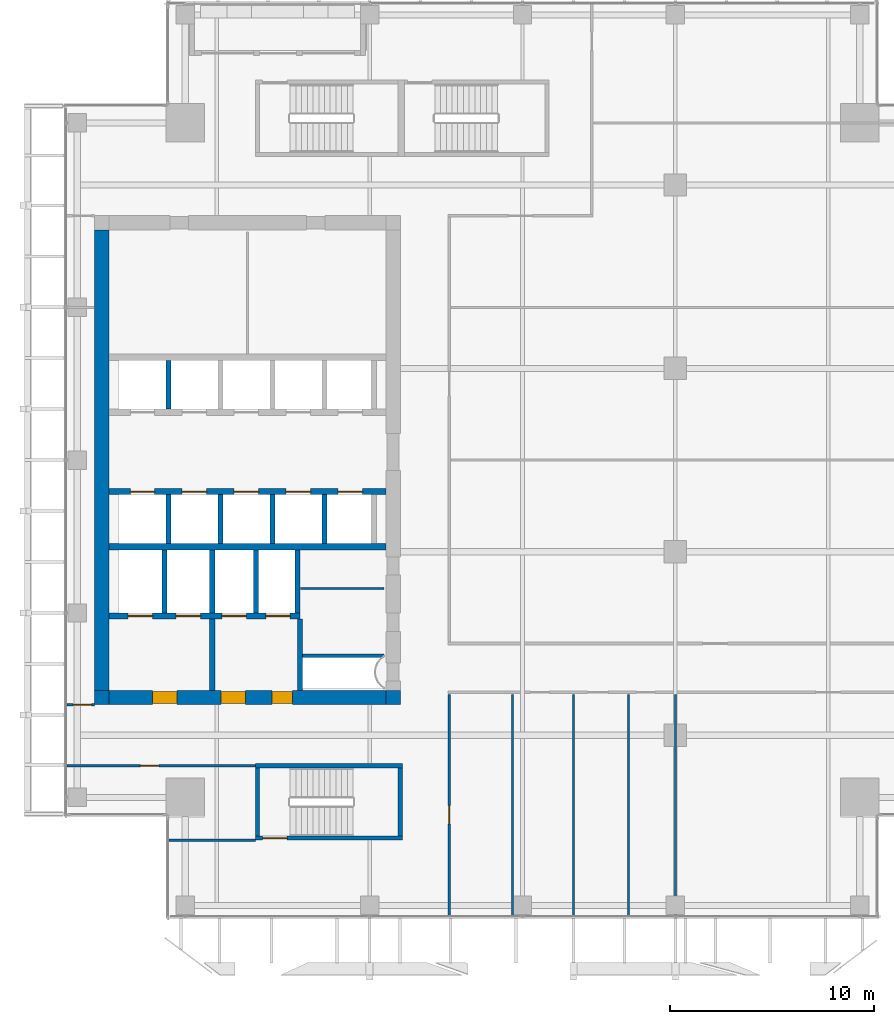
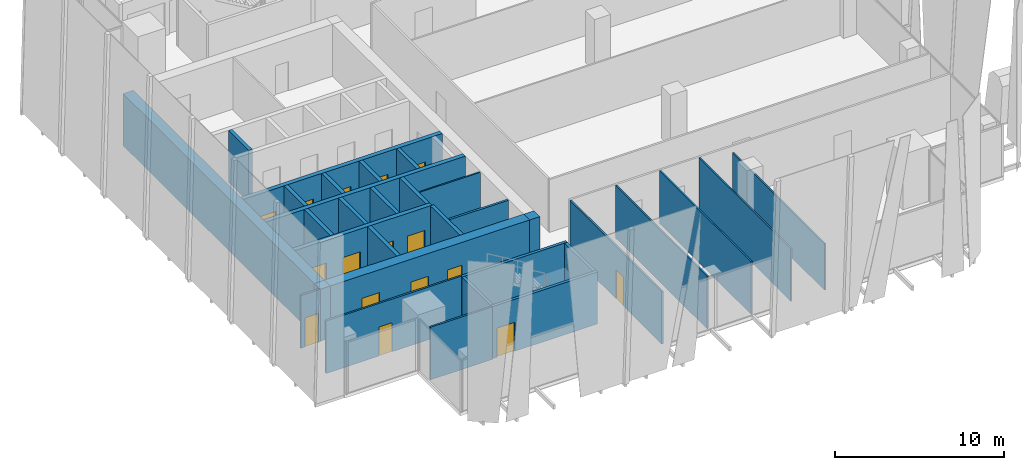
# One storey, part 28 of 35: 32 walls, 16 doors, 16 openings.
"""IFC4 building model written with IfcOpenShell, lengths in metres."""

from ifc_helpers import new_model, si_unit, direction, frame, frame_2d, origin, place, context, subcontext, project, spatial, rectangle, extrude, source, transform, mapped, material, layer, layer_set, type_object, element, fill, save


model = new_model("IFC4")

# Units and contexts
model_context = context("Model", 3, precision=1e-05, world=origin(), true_north=direction((0.0, 1.0)))
body_context = subcontext(model_context, "Body", "Model", "MODEL_VIEW")
ifc_project = project(units=[si_unit("LENGTHUNIT", "METRE"), si_unit("AREAUNIT", "SQUARE_METRE"), si_unit("VOLUMEUNIT", "CUBIC_METRE"), si_unit("PLANEANGLEUNIT", "RADIAN"), si_unit("MASSUNIT", "GRAM", prefix="KILO")], contexts=[model_context])

# Site, building, storey
site_placement = place(None, origin())
site = spatial("IfcSite", under=ifc_project, at=site_placement, CompositionType="ELEMENT")
building_placement = place(site_placement, origin())
building = spatial("IfcBuilding", under=site, at=building_placement, Name="Khomas Fold Tower", CompositionType="ELEMENT")
storey_placement = place(building_placement, frame((0.0, 0.0, 246.199951171875)))
storey = spatial("IfcBuildingStorey", under=building, at=storey_placement, Name="L55", CompositionType="ELEMENT", Elevation=246.199951171875)

# Wall
ifc_material_1 = material(Name="Concrete C50/60", Category="concrete")
ifc_layer_1 = layer(ifc_material_1, 0.199951171875)
ifc_layer_set_1 = layer_set([ifc_layer_1], Name="Concrete C50/60")
wall_type_1 = type_object("IfcWallType", Name="Stair wall 200", PredefinedType="SHEAR", material=ifc_layer_set_1)
shared_shape_1 = source(origin(), body_context, "Body", "SweptSolid", [
    extrude(rectangle(XDim=7.2001953125, YDim=0.199951171875, at=frame_2d((3.60009765625, 0.0))), origin(), (0.0, 0.0, 1.0), 3.75),
])
wall_1_placement = place(storey_placement, frame((13.89990234375, 12.0, 0.0), z_axis=(0.0, 0.0, 1.0), x_axis=(1.0, 0.0, 0.0)))
element("IfcWall", 1, at=wall_1_placement, inside=storey, type_object=wall_type_1, Name="Stair wall SW-ST2-NH", PredefinedType="SHEAR", context=body_context, shape_type="MappedRepresentation", body=[
    mapped(shared_shape_1, transform((0.0, 0.0, 0.0))),
])

# Wall, opening, door
wall_2_placement = place(storey_placement, frame((13.89990234375, 8.449951171875, 0.0), z_axis=(0.0, 0.0, 1.0), x_axis=(1.0, 0.0, 0.0)))
wall_2 = element("IfcWall", 2, at=wall_2_placement, inside=storey, type_object=wall_type_1, Name="Stair wall SW-ST2-S", PredefinedType="SHEAR", context=body_context, shape_type="MappedRepresentation", body=[
    mapped(shared_shape_1, transform((0.0, 0.0, 0.0))),
])
shared_shape_2 = source(origin(), body_context, "Body", "SweptSolid", [
    extrude(rectangle(XDim=1.199951171875, YDim=2.10009765625, at=frame_2d((0.60009765625, 1.050048828125))), frame((0.0, 0.10986328125, 0.0), z_axis=(0.0, -1.0, 0.0), x_axis=(1.0, 0.0, 0.0)), (0.0, 0.0, 1.0), 0.219970703125),
])
opening_1_placement = place(wall_2_placement, frame((0.35009765625, 0.0, 0.0)))
opening_1 = element("IfcOpeningElement", 3, at=opening_1_placement, cuts=wall_2, Name="Opening SD-ST2", PredefinedType="OPENING", context=body_context, shape_type="MappedRepresentation", body=[
    mapped(shared_shape_2, transform((0.0, 0.0, 0.0))),
])
ifc_material_2 = material(Name="Steel door leaf", Category="steel")
door_type_1 = type_object("IfcDoorType", Name="Stair door 1200x2100 right-hand", OperationType="SINGLE_SWING_RIGHT", PredefinedType="DOOR", material=ifc_material_2)
shared_shape_3 = source(origin(), body_context, "Body", "SweptSolid", [
    extrude(rectangle(XDim=1.199951171875, YDim=2.10009765625, at=frame_2d((0.60009765625, 1.050048828125))), frame((0.0, 0.02490234375, 0.0), z_axis=(0.0, -1.0, 0.0), x_axis=(1.0, 0.0, 0.0)), (0.0, 0.0, 1.0), 0.050048828125),
])
door_1_placement = place(opening_1_placement, origin())
door_1 = element("IfcDoor", 4, at=door_1_placement, inside=storey, type_object=door_type_1, Name="Stair door", OperationType="SINGLE_SWING_RIGHT", OverallHeight=2.10009765625, OverallWidth=1.199951171875, PredefinedType="DOOR", context=body_context, shape_type="MappedRepresentation", body=[
    mapped(shared_shape_3, transform((0.0, 0.0, 0.0))),
])
fill(opening_1, door_1)

# Walls
shared_shape_4 = source(origin(), body_context, "Body", "SweptSolid", [
    extrude(rectangle(XDim=3.349853515625, YDim=0.199951171875, at=frame_2d((1.6748046875, 0.0))), origin(), (0.0, 0.0, 1.0), 3.75),
])
for number, where, z_axis, x_axis, name in (
    (5, (21.0, 8.550048828125, 0.0), (0.0, 0.0, 1.0), (0.0, 1.0, 0.0), "Stair wall SW-ST2-E"),
    (6, (14.0, 8.550048828125, 0.0), (0.0, 0.0, 1.0), (0.0, 1.0, 0.0), "Stair wall SW-ST2-W"),
):
    element("IfcWall", number, at=place(storey_placement, frame(where, z_axis=z_axis, x_axis=x_axis)), inside=storey, type_object=wall_type_1, Name=name, PredefinedType="SHEAR", context=body_context, shape_type="MappedRepresentation", body=[
        mapped(shared_shape_4, transform((0.0, 0.0, 0.0))),
    ])
ifc_material_3 = material(Name="Concrete C50/60", Category="concrete")
ifc_layer_2 = layer(ifc_material_3, 0.25)
ifc_layer_set_2 = layer_set([ifc_layer_2], Name="Concrete C50/60")
wall_type_2 = type_object("IfcWallType", Name="Shaft wall 250", PredefinedType="STANDARD", material=ifc_layer_set_2)
shared_shape_5 = source(origin(), body_context, "Body", "SweptSolid", [
    extrude(rectangle(XDim=3.10009765625, YDim=0.25, at=frame_2d((1.550048828125, 0.0))), origin(), (0.0, 0.0, 1.0), 3.75),
])
for number, where, z_axis, x_axis, name in (
    (7, (9.425048828125, 19.5, 0.0), (0.0, 0.0, 1.0), (0.0, 1.0, 0.0), "Core wall SW-FS-P1"),
    (8, (11.77490234375, 19.5, 0.0), (0.0, 0.0, 1.0), (0.0, 1.0, 0.0), "Core wall SW-FS-P2"),
    (9, (13.925048828125, 19.5, 0.0), (0.0, 0.0, 1.0), (0.0, 1.0, 0.0), "Core wall SW-FS-P3"),
    (10, (15.949951171875, 19.5, 0.0), (0.0, 0.0, 1.0), (0.0, 1.0, 0.0), "Core wall SW-FS-PE"),
):
    element("IfcWall", number, at=place(storey_placement, frame(where, z_axis=z_axis, x_axis=x_axis)), inside=storey, type_object=wall_type_2, Name=name, PredefinedType="STANDARD", context=body_context, shape_type="MappedRepresentation", body=[
        mapped(shared_shape_5, transform((0.0, 0.0, 0.0))),
    ])
shared_shape_6 = source(origin(), body_context, "Body", "SweptSolid", [
    extrude(rectangle(XDim=2.39990234375, YDim=0.25, at=frame_2d((1.199951171875, 0.0))), origin(), (0.0, 0.0, 1.0), 3.75),
])
wall_3_placement = place(storey_placement, frame((9.625, 29.5, 0.0), z_axis=(0.0, 0.0, 1.0), x_axis=(0.0, 1.0, 0.0)))
element("IfcWall", 11, at=wall_3_placement, inside=storey, type_object=wall_type_2, Name="Core wall SW-HRN-P1", PredefinedType="STANDARD", context=body_context, shape_type="MappedRepresentation", body=[
    mapped(shared_shape_6, transform((0.0, 0.0, 0.0))),
])
shared_shape_7 = source(origin(), body_context, "Body", "SweptSolid", [
    extrude(rectangle(XDim=2.400146484375, YDim=0.25, at=frame_2d((1.2001953125, 0.0))), origin(), (0.0, 0.0, 1.0), 3.75),
])
for number, where, z_axis, x_axis, name in (
    (12, (17.27490234375, 22.89990234375, 0.0), (0.0, 0.0, 1.0), (0.0, 1.0, 0.0), "Core wall SW-HRS-MR-P1"),
    (13, (9.625, 22.89990234375, 0.0), (0.0, 0.0, 1.0), (0.0, 1.0, 0.0), "Core wall SW-HRS-P1"),
    (14, (12.175048828125, 22.89990234375, 0.0), (0.0, 0.0, 1.0), (0.0, 1.0, 0.0), "Core wall SW-HRS-P2"),
    (15, (14.72509765625, 22.89990234375, 0.0), (0.0, 0.0, 1.0), (0.0, 1.0, 0.0), "Core wall SW-HRS-PE"),
):
    element("IfcWall", number, at=place(storey_placement, frame(where, z_axis=z_axis, x_axis=x_axis)), inside=storey, type_object=wall_type_2, Name=name, PredefinedType="STANDARD", context=body_context, shape_type="MappedRepresentation", body=[
        mapped(shared_shape_7, transform((0.0, 0.0, 0.0))),
    ])

# Wall, openings, doors
ifc_material_4 = material(Name="Concrete C60/75", Category="concrete")
ifc_layer_3 = layer(ifc_material_4, 0.699951171875)
ifc_layer_set_3 = layer_set([ifc_layer_3], Name="Concrete C60/75")
wall_type_3 = type_object("IfcWallType", Name="Core wall 700", PredefinedType="SHEAR", material=ifc_layer_set_3)
shared_shape_8 = source(origin(), body_context, "Body", "SweptSolid", [
    extrude(rectangle(XDim=13.60009765625, YDim=0.699951171875, at=frame_2d((6.800048828125, 0.0))), origin(), (0.0, 0.0, 1.0), 3.75),
])
wall_4_placement = place(storey_placement, frame((6.699951171875, 15.35009765625, 0.0), z_axis=(0.0, 0.0, 1.0), x_axis=(1.0, 0.0, 0.0)))
wall_4 = element("IfcWall", 16, at=wall_4_placement, inside=storey, type_object=wall_type_3, Name="Core wall CW-U-S-L49", PredefinedType="SHEAR", context=body_context, shape_type="MappedRepresentation", body=[
    mapped(shared_shape_8, transform((0.0, 0.0, 0.0))),
])
shared_shape_9 = source(origin(), body_context, "Body", "SweptSolid", [
    extrude(rectangle(XDim=1.199951171875, YDim=2.10009765625, at=frame_2d((0.60009765625, 1.050048828125))), frame((0.0, 0.35986328125, 0.0), z_axis=(0.0, -1.0, 0.0), x_axis=(1.0, 0.0, 0.0)), (0.0, 0.0, 1.0), 0.719970703125),
])
opening_2_placement = place(wall_4_placement, frame((5.5, 0.0, 0.0)))
opening_2 = element("IfcOpeningElement", 17, at=opening_2_placement, cuts=wall_4, Name="Opening 0009", PredefinedType="OPENING", context=body_context, shape_type="MappedRepresentation", body=[
    mapped(shared_shape_9, transform((0.0, 0.0, 0.0))),
])
opening_3_placement = place(wall_4_placement, frame((2.14990234375, 0.0, 0.0)))
opening_3 = element("IfcOpeningElement", 18, at=opening_3_placement, cuts=wall_4, Name="Opening 0009", PredefinedType="OPENING", context=body_context, shape_type="MappedRepresentation", body=[
    mapped(shared_shape_9, transform((0.0, 0.0, 0.0))),
])
shared_shape_10 = source(origin(), body_context, "Body", "SweptSolid", [
    extrude(rectangle(XDim=1.0, YDim=2.10009765625, at=frame_2d((0.5, 1.050048828125))), frame((0.0, 0.35986328125, 0.0), z_axis=(0.0, -1.0, 0.0), x_axis=(1.0, 0.0, 0.0)), (0.0, 0.0, 1.0), 0.719970703125),
])
opening_4_placement = place(wall_4_placement, frame((8.0, 0.0, 0.0)))
opening_4 = element("IfcOpeningElement", 19, at=opening_4_placement, cuts=wall_4, Name="Opening 0010", PredefinedType="OPENING", context=body_context, shape_type="MappedRepresentation", body=[
    mapped(shared_shape_10, transform((0.0, 0.0, 0.0))),
])
ifc_material_5 = material(Name="Steel door leaf", Category="steel")
door_type_2 = type_object("IfcDoorType", Name="Lobby door 1200x2100 right-hand", OperationType="SINGLE_SWING_RIGHT", PredefinedType="DOOR", material=ifc_material_5)
shared_shape_11 = source(origin(), body_context, "Body", "SweptSolid", [
    extrude(rectangle(XDim=1.199951171875, YDim=2.10009765625, at=frame_2d((0.60009765625, 1.050048828125))), frame((0.0, 0.2998046875, 0.0), z_axis=(0.0, -1.0, 0.0), x_axis=(1.0, 0.0, 0.0)), (0.0, 0.0, 1.0), 0.599853515625),
])
door_2_placement = place(opening_2_placement, origin())
door_2 = element("IfcDoor", 20, at=door_2_placement, inside=storey, type_object=door_type_2, Name="Lobby door", OperationType="SINGLE_SWING_RIGHT", OverallHeight=2.10009765625, OverallWidth=1.199951171875, PredefinedType="DOOR", context=body_context, shape_type="MappedRepresentation", body=[
    mapped(shared_shape_11, transform((0.0, 0.0, 0.0))),
])
fill(opening_2, door_2)
door_3_placement = place(opening_3_placement, origin())
door_3 = element("IfcDoor", 21, at=door_3_placement, inside=storey, type_object=door_type_2, Name="Lobby door", OperationType="SINGLE_SWING_RIGHT", OverallHeight=2.10009765625, OverallWidth=1.199951171875, PredefinedType="DOOR", context=body_context, shape_type="MappedRepresentation", body=[
    mapped(shared_shape_11, transform((0.0, 0.0, 0.0))),
])
fill(opening_3, door_3)
ifc_material_6 = material(Name="Steel door leaf", Category="steel")
door_type_3 = type_object("IfcDoorType", Name="Stair door 1000x2100 right-hand", OperationType="SINGLE_SWING_RIGHT", PredefinedType="DOOR", material=ifc_material_6)
shared_shape_12 = source(origin(), body_context, "Body", "SweptSolid", [
    extrude(rectangle(XDim=1.0, YDim=2.10009765625, at=frame_2d((0.5, 1.050048828125))), frame((0.0, 0.2998046875, 0.0), z_axis=(0.0, -1.0, 0.0), x_axis=(1.0, 0.0, 0.0)), (0.0, 0.0, 1.0), 0.599853515625),
])
door_4_placement = place(opening_4_placement, origin())
door_4 = element("IfcDoor", 22, at=door_4_placement, inside=storey, type_object=door_type_3, Name="Stair door", OperationType="SINGLE_SWING_RIGHT", OverallHeight=2.10009765625, OverallWidth=1.0, PredefinedType="DOOR", context=body_context, shape_type="MappedRepresentation", body=[
    mapped(shared_shape_12, transform((0.0, 0.0, 0.0))),
])
fill(opening_4, door_4)

# Walls
ifc_material_7 = material(Name="Concrete C60/75", Category="concrete")
ifc_layer_4 = layer(ifc_material_7, 0.699951171875)
ifc_layer_set_4 = layer_set([ifc_layer_4], Name="Concrete C60/75")
wall_type_4 = type_object("IfcWallType", Name="Core corner wall 700", PredefinedType="SHEAR", material=ifc_layer_set_4)
shared_shape_13 = source(origin(), body_context, "Body", "SweptSolid", [
    extrude(rectangle(XDim=0.699951171875, YDim=0.699951171875, at=frame_2d((0.35009765625, 0.0))), origin(), (0.0, 0.0, 1.0), 3.75),
])
for number, where, z_axis, x_axis, name in (
    (23, (20.300048828125, 15.35009765625, 0.0), (0.0, 0.0, 1.0), (1.0, 0.0, 0.0), "Core wall CW-U-SE-L49"),
    (24, (6.0, 15.35009765625, 0.0), (0.0, 0.0, 1.0), (1.0, 0.0, 0.0), "Core wall CW-U-SW-L49"),
):
    element("IfcWall", number, at=place(storey_placement, frame(where, z_axis=z_axis, x_axis=x_axis)), inside=storey, type_object=wall_type_4, Name=name, PredefinedType="SHEAR", context=body_context, shape_type="MappedRepresentation", body=[
        mapped(shared_shape_13, transform((0.0, 0.0, 0.0))),
    ])
shared_shape_14 = source(origin(), body_context, "Body", "SweptSolid", [
    extrude(rectangle(XDim=22.60009765625, YDim=0.699951171875, at=frame_2d((11.300048828125, 0.0))), origin(), (0.0, 0.0, 1.0), 3.75),
])
wall_5_placement = place(storey_placement, frame((6.35009765625, 15.699951171875, 0.0), z_axis=(0.0, 0.0, 1.0), x_axis=(0.0, 1.0, 0.0)))
element("IfcWall", 25, at=wall_5_placement, inside=storey, type_object=wall_type_3, Name="Core wall CW-U-W-L49", PredefinedType="SHEAR", context=body_context, shape_type="MappedRepresentation", body=[
    mapped(shared_shape_14, transform((0.0, 0.0, 0.0))),
])
ifc_material_8 = material(Name="Concrete C50/60", Category="concrete")
ifc_layer_5 = layer(ifc_material_8, 0.300048828125)
ifc_layer_set_5 = layer_set([ifc_layer_5], Name="Concrete C50/60")
wall_type_5 = type_object("IfcWallType", Name="Shaft wall 300", PredefinedType="STANDARD", material=ifc_layer_set_5)
shared_shape_15 = source(origin(), body_context, "Body", "SweptSolid", [
    extrude(rectangle(XDim=13.60009765625, YDim=0.300048828125, at=frame_2d((6.800048828125, 0.0))), origin(), (0.0, 0.0, 1.0), 3.75),
])
wall_6_placement = place(storey_placement, frame((6.699951171875, 22.75, 0.0), z_axis=(0.0, 0.0, 1.0), x_axis=(1.0, 0.0, 0.0)))
element("IfcWall", 26, at=wall_6_placement, inside=storey, type_object=wall_type_5, Name="Core wall SW-FS-B", PredefinedType="STANDARD", context=body_context, shape_type="MappedRepresentation", body=[
    mapped(shared_shape_15, transform((0.0, 0.0, 0.0))),
])

# Wall, openings, doors
wall_7_placement = place(storey_placement, frame((6.699951171875, 25.449951171875, 0.0), z_axis=(0.0, 0.0, 1.0), x_axis=(1.0, 0.0, 0.0)))
wall_7 = element("IfcWall", 27, at=wall_7_placement, inside=storey, type_object=wall_type_5, Name="Core wall SW-HRS-F", PredefinedType="STANDARD", context=body_context, shape_type="MappedRepresentation", body=[
    mapped(shared_shape_15, transform((0.0, 0.0, 0.0))),
])
shared_shape_16 = source(origin(), body_context, "Body", "SweptSolid", [
    extrude(rectangle(XDim=1.199951171875, YDim=2.10009765625, at=frame_2d((0.60009765625, 1.050048828125))), frame((0.0, 0.159912109375, 0.0), z_axis=(0.0, -1.0, 0.0), x_axis=(1.0, 0.0, 0.0)), (0.0, 0.0, 1.0), 0.320068359375),
])
opening_5_placement = place(wall_7_placement, frame((1.050048828125, 0.0, 0.0)))
opening_5 = element("IfcOpeningElement", 28, at=opening_5_placement, cuts=wall_7, Name="Opening LD-HR1", PredefinedType="OPENING", context=body_context, shape_type="MappedRepresentation", body=[
    mapped(shared_shape_16, transform((0.0, 0.0, 0.0))),
])
opening_6_placement = place(wall_7_placement, frame((3.60009765625, 0.0, 0.0)))
opening_6 = element("IfcOpeningElement", 29, at=opening_6_placement, cuts=wall_7, Name="Opening LD-HR2", PredefinedType="OPENING", context=body_context, shape_type="MappedRepresentation", body=[
    mapped(shared_shape_16, transform((0.0, 0.0, 0.0))),
])
opening_7_placement = place(wall_7_placement, frame((6.14990234375, 0.0, 0.0)))
opening_7 = element("IfcOpeningElement", 30, at=opening_7_placement, cuts=wall_7, Name="Opening LD-HR3", PredefinedType="OPENING", context=body_context, shape_type="MappedRepresentation", body=[
    mapped(shared_shape_16, transform((0.0, 0.0, 0.0))),
])
opening_8_placement = place(wall_7_placement, frame((8.699951171875, 0.0, 0.0)))
opening_8 = element("IfcOpeningElement", 31, at=opening_8_placement, cuts=wall_7, Name="Opening LD-MR1", PredefinedType="OPENING", context=body_context, shape_type="MappedRepresentation", body=[
    mapped(shared_shape_16, transform((0.0, 0.0, 0.0))),
])
opening_9_placement = place(wall_7_placement, frame((11.25, 0.0, 0.0)))
opening_9 = element("IfcOpeningElement", 32, at=opening_9_placement, cuts=wall_7, Name="Opening LD-MR2", PredefinedType="OPENING", context=body_context, shape_type="MappedRepresentation", body=[
    mapped(shared_shape_16, transform((0.0, 0.0, 0.0))),
])
ifc_material_9 = material(Name="Steel door leaf", Category="steel")
door_type_4 = type_object("IfcDoorType", Name="Landing door 1200x2100", OperationType="DOUBLE_DOOR_SLIDING", PredefinedType="DOOR", material=ifc_material_9)
door_5_placement = place(opening_5_placement, origin())
door_5 = element("IfcDoor", 33, at=door_5_placement, inside=storey, type_object=door_type_4, Name="Lift landing door", OperationType="DOUBLE_DOOR_SLIDING", OverallHeight=2.10009765625, OverallWidth=1.199951171875, PredefinedType="DOOR", context=body_context, shape_type="MappedRepresentation", body=[
    mapped(shared_shape_3, transform((0.0, 0.0, 0.0))),
])
fill(opening_5, door_5)
door_6_placement = place(opening_6_placement, origin())
door_6 = element("IfcDoor", 34, at=door_6_placement, inside=storey, type_object=door_type_4, Name="Lift landing door", OperationType="DOUBLE_DOOR_SLIDING", OverallHeight=2.10009765625, OverallWidth=1.199951171875, PredefinedType="DOOR", context=body_context, shape_type="MappedRepresentation", body=[
    mapped(shared_shape_3, transform((0.0, 0.0, 0.0))),
])
fill(opening_6, door_6)
door_7_placement = place(opening_7_placement, origin())
door_7 = element("IfcDoor", 35, at=door_7_placement, inside=storey, type_object=door_type_4, Name="Lift landing door", OperationType="DOUBLE_DOOR_SLIDING", OverallHeight=2.10009765625, OverallWidth=1.199951171875, PredefinedType="DOOR", context=body_context, shape_type="MappedRepresentation", body=[
    mapped(shared_shape_3, transform((0.0, 0.0, 0.0))),
])
fill(opening_7, door_7)
door_8_placement = place(opening_8_placement, origin())
door_8 = element("IfcDoor", 36, at=door_8_placement, inside=storey, type_object=door_type_4, Name="Lift landing door", OperationType="DOUBLE_DOOR_SLIDING", OverallHeight=2.10009765625, OverallWidth=1.199951171875, PredefinedType="DOOR", context=body_context, shape_type="MappedRepresentation", body=[
    mapped(shared_shape_3, transform((0.0, 0.0, 0.0))),
])
fill(opening_8, door_8)
door_9_placement = place(opening_9_placement, origin())
door_9 = element("IfcDoor", 37, at=door_9_placement, inside=storey, type_object=door_type_4, Name="Lift landing door", OperationType="DOUBLE_DOOR_SLIDING", OverallHeight=2.10009765625, OverallWidth=1.199951171875, PredefinedType="DOOR", context=body_context, shape_type="MappedRepresentation", body=[
    mapped(shared_shape_3, transform((0.0, 0.0, 0.0))),
])
fill(opening_9, door_9)

shared_shape_17 = source(origin(), body_context, "Body", "SweptSolid", [
    extrude(rectangle(XDim=9.375, YDim=0.300048828125, at=frame_2d((4.6875, 0.0))), origin(), (0.0, 0.0, 1.0), 3.75),
])
wall_8_placement = place(storey_placement, frame((6.699951171875, 19.35009765625, 0.0), z_axis=(0.0, 0.0, 1.0), x_axis=(1.0, 0.0, 0.0)))
wall_8 = element("IfcWall", 38, at=wall_8_placement, inside=storey, type_object=wall_type_5, Name="Core wall SW-FS-F", PredefinedType="STANDARD", context=body_context, shape_type="MappedRepresentation", body=[
    mapped(shared_shape_17, transform((0.0, 0.0, 0.0))),
])
opening_10_placement = place(wall_8_placement, frame((0.949951171875, 0.0, 0.0)))
opening_10 = element("IfcOpeningElement", 39, at=opening_10_placement, cuts=wall_8, Name="Opening LD-SV1", PredefinedType="OPENING", context=body_context, shape_type="MappedRepresentation", body=[
    mapped(shared_shape_16, transform((0.0, 0.0, 0.0))),
])
opening_11_placement = place(wall_8_placement, frame((3.300048828125, 0.0, 0.0)))
opening_11 = element("IfcOpeningElement", 40, at=opening_11_placement, cuts=wall_8, Name="Opening LD-SV2", PredefinedType="OPENING", context=body_context, shape_type="MappedRepresentation", body=[
    mapped(shared_shape_16, transform((0.0, 0.0, 0.0))),
])
opening_12_placement = place(wall_8_placement, frame((5.550048828125, 0.0, 0.0)))
opening_12 = element("IfcOpeningElement", 41, at=opening_12_placement, cuts=wall_8, Name="Opening LD-FF1", PredefinedType="OPENING", context=body_context, shape_type="MappedRepresentation", body=[
    mapped(shared_shape_16, transform((0.0, 0.0, 0.0))),
])
opening_13_placement = place(wall_8_placement, frame((7.699951171875, 0.0, 0.0)))
opening_13 = element("IfcOpeningElement", 42, at=opening_13_placement, cuts=wall_8, Name="Opening LD-FF2", PredefinedType="OPENING", context=body_context, shape_type="MappedRepresentation", body=[
    mapped(shared_shape_16, transform((0.0, 0.0, 0.0))),
])
door_10_placement = place(opening_10_placement, origin())
door_10 = element("IfcDoor", 43, at=door_10_placement, inside=storey, type_object=door_type_4, Name="Lift landing door", OperationType="DOUBLE_DOOR_SLIDING", OverallHeight=2.10009765625, OverallWidth=1.199951171875, PredefinedType="DOOR", context=body_context, shape_type="MappedRepresentation", body=[
    mapped(shared_shape_3, transform((0.0, 0.0, 0.0))),
])
fill(opening_10, door_10)
door_11_placement = place(opening_11_placement, origin())
door_11 = element("IfcDoor", 44, at=door_11_placement, inside=storey, type_object=door_type_4, Name="Lift landing door", OperationType="DOUBLE_DOOR_SLIDING", OverallHeight=2.10009765625, OverallWidth=1.199951171875, PredefinedType="DOOR", context=body_context, shape_type="MappedRepresentation", body=[
    mapped(shared_shape_3, transform((0.0, 0.0, 0.0))),
])
fill(opening_11, door_11)
door_12_placement = place(opening_12_placement, origin())
door_12 = element("IfcDoor", 45, at=door_12_placement, inside=storey, type_object=door_type_4, Name="Lift landing door", OperationType="DOUBLE_DOOR_SLIDING", OverallHeight=2.10009765625, OverallWidth=1.199951171875, PredefinedType="DOOR", context=body_context, shape_type="MappedRepresentation", body=[
    mapped(shared_shape_3, transform((0.0, 0.0, 0.0))),
])
fill(opening_12, door_12)
door_13_placement = place(opening_13_placement, origin())
door_13 = element("IfcDoor", 46, at=door_13_placement, inside=storey, type_object=door_type_4, Name="Lift landing door", OperationType="DOUBLE_DOOR_SLIDING", OverallHeight=2.10009765625, OverallWidth=1.199951171875, PredefinedType="DOOR", context=body_context, shape_type="MappedRepresentation", body=[
    mapped(shared_shape_3, transform((0.0, 0.0, 0.0))),
])
fill(opening_13, door_13)

# Walls
ifc_material_10 = material(Name="Concrete C50/60", Category="concrete")
ifc_layer_6 = layer(ifc_material_10, 0.25)
ifc_layer_set_6 = layer_set([ifc_layer_6], Name="Concrete C50/60")
wall_type_6 = type_object("IfcWallType", Name="Lobby wall 250", PredefinedType="STANDARD", material=ifc_layer_set_6)
shared_shape_18 = source(origin(), body_context, "Body", "SweptSolid", [
    extrude(rectangle(XDim=3.5, YDim=0.25, at=frame_2d((1.75, 0.0))), origin(), (0.0, 0.0, 1.0), 3.75),
])
for number, where, z_axis, x_axis, name in (
    (47, (16.074951171875, 15.699951171875, 0.0), (0.0, 0.0, 1.0), (0.0, 1.0, 0.0), "Core wall SW-FS-LOB-E"),
    (48, (11.77490234375, 15.699951171875, 0.0), (0.0, 0.0, 1.0), (0.0, 1.0, 0.0), "Core wall SW-FS-SEP"),
):
    element("IfcWall", number, at=place(storey_placement, frame(where, z_axis=z_axis, x_axis=x_axis)), inside=storey, type_object=wall_type_6, Name=name, PredefinedType="STANDARD", context=body_context, shape_type="MappedRepresentation", body=[
        mapped(shared_shape_18, transform((0.0, 0.0, 0.0))),
    ])
ifc_material_11 = material(Name="Plasterboard fire partition")
ifc_layer_7 = layer(ifc_material_11, 0.14990234375)
ifc_layer_set_7 = layer_set([ifc_layer_7], Name="Plasterboard fire partition")
wall_type_7 = type_object("IfcWallType", Name="Plant room wall PW3 150", PredefinedType="PARTITIONING", material=ifc_layer_set_7)
shared_shape_19 = source(origin(), body_context, "Body", "SweptSolid", [
    extrude(rectangle(XDim=4.0, YDim=0.14990234375, at=frame_2d((2.0, 0.0))), origin(), (0.0, 0.0, 1.0), 3.800048828125),
])
wall_9_placement = place(storey_placement, frame((16.199951171875, 17.39990234375, 0.0), z_axis=(0.0, 0.0, 1.0), x_axis=(1.0, 0.0, 0.0)))
element("IfcWall", 49, at=wall_9_placement, inside=storey, type_object=wall_type_7, Name="Plant room wall", PredefinedType="PARTITIONING", context=body_context, shape_type="MappedRepresentation", body=[
    mapped(shared_shape_19, transform((0.0, 0.0, 0.0))),
])
ifc_material_12 = material(Name="Plasterboard partition")
ifc_layer_8 = layer(ifc_material_12, 0.10009765625)
ifc_layer_set_8 = layer_set([ifc_layer_8], Name="Plasterboard partition")
wall_type_8 = type_object("IfcWallType", Name="Partition PW1 100", PredefinedType="PARTITIONING", material=ifc_layer_set_8)
shared_shape_20 = source(origin(), body_context, "Body", "SweptSolid", [
    extrude(rectangle(XDim=4.099853515625, YDim=0.10009765625, at=frame_2d((2.0498046875, 0.0))), origin(), (0.0, 0.0, 1.0), 3.800048828125),
])
wall_10_placement = place(storey_placement, frame((16.10009765625, 20.699951171875, 0.0), z_axis=(0.0, 0.0, 1.0), x_axis=(1.0, 0.0, 0.0)))
element("IfcWall", 50, at=wall_10_placement, inside=storey, type_object=wall_type_8, Name="Partition", PredefinedType="PARTITIONING", context=body_context, shape_type="MappedRepresentation", body=[
    mapped(shared_shape_20, transform((0.0, 0.0, 0.0))),
])

# Wall, opening, door
ifc_material_13 = material(Name="Plasterboard partition")
ifc_layer_9 = layer(ifc_material_13, 0.125)
ifc_layer_set_9 = layer_set([ifc_layer_9], Name="Plasterboard partition")
wall_type_9 = type_object("IfcWallType", Name="Partition PW2 125", PredefinedType="PARTITIONING", material=ifc_layer_set_9)
shared_shape_21 = source(origin(), body_context, "Body", "SweptSolid", [
    extrude(rectangle(XDim=9.25, YDim=0.125, at=frame_2d((4.625, 0.0))), origin(), (0.0, 0.0, 1.0), 3.800048828125),
])
wall_11_placement = place(storey_placement, frame((4.64990234375, 12.0, 0.0), z_axis=(0.0, 0.0, 1.0), x_axis=(1.0, 0.0, 0.0)))
wall_11 = element("IfcWall", 51, at=wall_11_placement, inside=storey, type_object=wall_type_9, Name="Partition", PredefinedType="PARTITIONING", context=body_context, shape_type="MappedRepresentation", body=[
    mapped(shared_shape_21, transform((0.0, 0.0, 0.0))),
])
shared_shape_22 = source(origin(), body_context, "Body", "SweptSolid", [
    extrude(rectangle(XDim=0.89990234375, YDim=2.10009765625, at=frame_2d((0.449951171875, 1.050048828125))), frame((0.0, 0.072509765625, 0.0), z_axis=(0.0, -1.0, 0.0), x_axis=(1.0, 0.0, 0.0)), (0.0, 0.0, 1.0), 0.14501953125),
])
opening_14_placement = place(wall_11_placement, frame((3.60009765625, 0.0, 0.0)))
opening_14 = element("IfcOpeningElement", 52, at=opening_14_placement, cuts=wall_11, Name="Opening 0007", PredefinedType="OPENING", context=body_context, shape_type="MappedRepresentation", body=[
    mapped(shared_shape_22, transform((0.0, 0.0, 0.0))),
])
ifc_material_14 = material(Name="Timber door leaf", Category="wood")
door_type_5 = type_object("IfcDoorType", Name="Door 900x2100 left-hand", OperationType="SINGLE_SWING_LEFT", PredefinedType="DOOR", material=ifc_material_14)
shared_shape_23 = source(origin(), body_context, "Body", "SweptSolid", [
    extrude(rectangle(XDim=0.89990234375, YDim=2.10009765625, at=frame_2d((0.449951171875, 1.050048828125))), frame((0.0, 0.02490234375, 0.0), z_axis=(0.0, -1.0, 0.0), x_axis=(1.0, 0.0, 0.0)), (0.0, 0.0, 1.0), 0.050048828125),
])
door_14_placement = place(opening_14_placement, origin())
door_14 = element("IfcDoor", 53, at=door_14_placement, inside=storey, type_object=door_type_5, Name="Door", OperationType="SINGLE_SWING_LEFT", OverallHeight=2.10009765625, OverallWidth=0.89990234375, PredefinedType="DOOR", context=body_context, shape_type="MappedRepresentation", body=[
    mapped(shared_shape_23, transform((0.0, 0.0, 0.0))),
])
fill(opening_14, door_14)

shared_shape_24 = source(origin(), body_context, "Body", "SweptSolid", [
    extrude(rectangle(XDim=10.85009765625, YDim=0.125, at=frame_2d((5.425048828125, 0.0))), origin(), (0.0, 0.0, 1.0), 3.800048828125),
])
wall_12_placement = place(storey_placement, frame((23.39990234375, 4.64990234375, 0.0), z_axis=(0.0, 0.0, 1.0), x_axis=(0.0, 1.0, 0.0)))
wall_12 = element("IfcWall", 54, at=wall_12_placement, inside=storey, type_object=wall_type_9, Name="Partition", PredefinedType="PARTITIONING", context=body_context, shape_type="MappedRepresentation", body=[
    mapped(shared_shape_24, transform((0.0, 0.0, 0.0))),
])
opening_15_placement = place(wall_12_placement, frame((4.5, 0.0, 0.0)))
opening_15 = element("IfcOpeningElement", 55, at=opening_15_placement, cuts=wall_12, Name="Opening 0005", PredefinedType="OPENING", context=body_context, shape_type="MappedRepresentation", body=[
    mapped(shared_shape_22, transform((0.0, 0.0, 0.0))),
])
ifc_material_15 = material(Name="Timber door leaf", Category="wood")
door_type_6 = type_object("IfcDoorType", Name="WC door 900x2100 left-hand", OperationType="SINGLE_SWING_LEFT", PredefinedType="DOOR", material=ifc_material_15)
door_15_placement = place(opening_15_placement, origin())
door_15 = element("IfcDoor", 56, at=door_15_placement, inside=storey, type_object=door_type_6, Name="WC door", OperationType="SINGLE_SWING_LEFT", OverallHeight=2.10009765625, OverallWidth=0.89990234375, PredefinedType="DOOR", context=body_context, shape_type="MappedRepresentation", body=[
    mapped(shared_shape_23, transform((0.0, 0.0, 0.0))),
])
fill(opening_15, door_15)

# Walls
shared_shape_25 = source(origin(), body_context, "Body", "SweptSolid", [
    extrude(rectangle(XDim=10.85009765625, YDim=0.10009765625, at=frame_2d((5.425048828125, 0.0))), origin(), (0.0, 0.0, 1.0), 3.800048828125),
])
for number, where, z_axis, x_axis, name in (
    (57, (26.5, 4.64990234375, 0.0), (0.0, 0.0, 1.0), (0.0, 1.0, 0.0), "Partition"),
    (58, (29.5, 4.64990234375, 0.0), (0.0, 0.0, 1.0), (0.0, 1.0, 0.0), "Partition"),
    (59, (32.199951171875, 4.64990234375, 0.0), (0.0, 0.0, 1.0), (0.0, 1.0, 0.0), "Partition"),
):
    element("IfcWall", number, at=place(storey_placement, frame(where, z_axis=z_axis, x_axis=x_axis)), inside=storey, type_object=wall_type_8, Name=name, PredefinedType="PARTITIONING", context=body_context, shape_type="MappedRepresentation", body=[
        mapped(shared_shape_25, transform((0.0, 0.0, 0.0))),
    ])
shared_shape_26 = source(origin(), body_context, "Body", "SweptSolid", [
    extrude(rectangle(XDim=10.85009765625, YDim=0.10009765625, at=frame_2d((5.425048828125, 0.0))), origin(), (0.0, 0.0, 1.0), 3.35009765625),
])
wall_13_placement = place(storey_placement, frame((34.5, 4.64990234375, 0.0), z_axis=(0.0, 0.0, 1.0), x_axis=(0.0, 1.0, 0.0)))
element("IfcWall", 60, at=wall_13_placement, inside=storey, type_object=wall_type_8, Name="Partition", PredefinedType="PARTITIONING", context=body_context, shape_type="MappedRepresentation", body=[
    mapped(shared_shape_26, transform((0.0, 0.0, 0.0))),
])
shared_shape_27 = source(origin(), body_context, "Body", "SweptSolid", [
    extrude(rectangle(XDim=4.25, YDim=0.125, at=frame_2d((2.125, 0.0))), origin(), (0.0, 0.0, 1.0), 3.800048828125),
])
wall_14_placement = place(storey_placement, frame((9.64990234375, 8.35009765625, 0.0), z_axis=(0.0, 0.0, 1.0), x_axis=(1.0, 0.0, 0.0)))
element("IfcWall", 61, at=wall_14_placement, inside=storey, type_object=wall_type_9, Name="Partition", PredefinedType="PARTITIONING", context=body_context, shape_type="MappedRepresentation", body=[
    mapped(shared_shape_27, transform((0.0, 0.0, 0.0))),
])

# Wall, opening, door
shared_shape_28 = source(origin(), body_context, "Body", "SweptSolid", [
    extrude(rectangle(XDim=1.35009765625, YDim=0.125, at=frame_2d((0.675048828125, 0.0))), origin(), (0.0, 0.0, 1.0), 3.800048828125),
])
wall_15_placement = place(storey_placement, frame((4.64990234375, 15.0, 0.0), z_axis=(0.0, 0.0, 1.0), x_axis=(1.0, 0.0, 0.0)))
wall_15 = element("IfcWall", 62, at=wall_15_placement, inside=storey, type_object=wall_type_9, Name="Partition", PredefinedType="PARTITIONING", context=body_context, shape_type="MappedRepresentation", body=[
    mapped(shared_shape_28, transform((0.0, 0.0, 0.0))),
])
opening_16_placement = place(wall_15_placement, frame((0.300048828125, 0.0, 0.0)))
opening_16 = element("IfcOpeningElement", 63, at=opening_16_placement, cuts=wall_15, Name="Opening 0007", PredefinedType="OPENING", context=body_context, shape_type="MappedRepresentation", body=[
    mapped(shared_shape_22, transform((0.0, 0.0, 0.0))),
])
door_16_placement = place(opening_16_placement, origin())
door_16 = element("IfcDoor", 64, at=door_16_placement, inside=storey, type_object=door_type_5, Name="Door", OperationType="SINGLE_SWING_LEFT", OverallHeight=2.10009765625, OverallWidth=0.89990234375, PredefinedType="DOOR", context=body_context, shape_type="MappedRepresentation", body=[
    mapped(shared_shape_23, transform((0.0, 0.0, 0.0))),
])
fill(opening_16, door_16)

save(model, "model.ifc")
